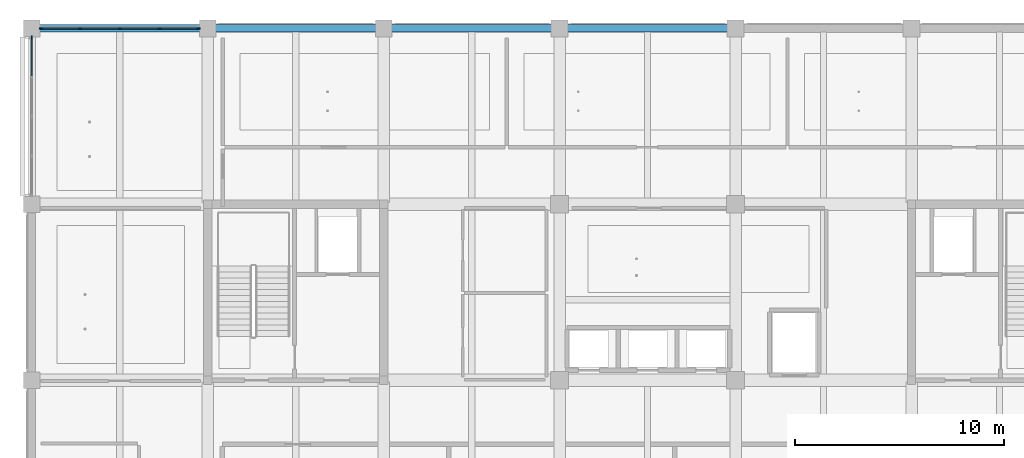
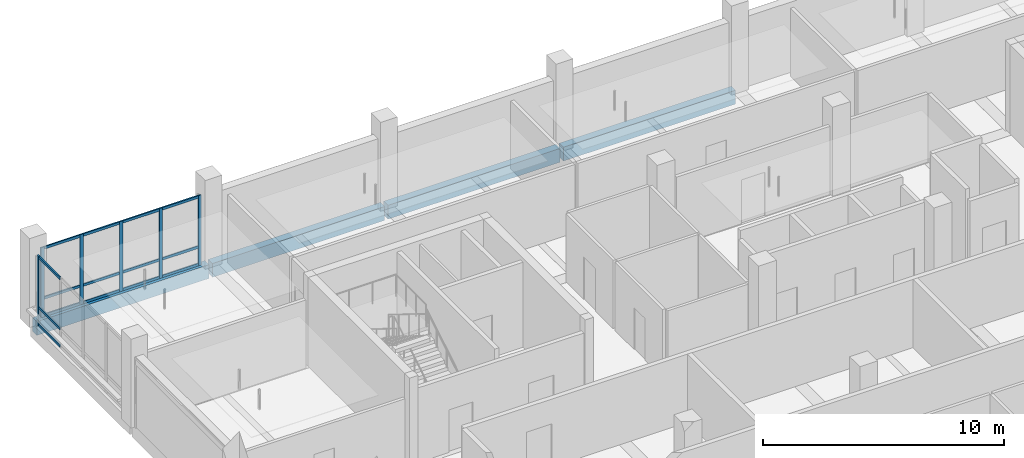
# One storey, part 8 of 35: 21 members, 4 beams, 2 elements without a shape of their own.
"""IFC4 building model written with IfcOpenShell, lengths in metres."""

from ifc_helpers import new_model, si_unit, direction, frame, origin, origin_2d, place, context, subcontext, project, spatial, rectangle, extrude, material, layer, layer_set, material_profile, profile_set, type_object, element, aggregate, save


model = new_model("IFC4")

# Units and contexts
model_context = context("Model", 3, precision=1e-05, world=origin(), true_north=direction((0.0, 1.0)))
body_context = subcontext(model_context, "Body", "Model", "MODEL_VIEW")
ifc_project = project(units=[si_unit("LENGTHUNIT", "METRE"), si_unit("AREAUNIT", "SQUARE_METRE"), si_unit("VOLUMEUNIT", "CUBIC_METRE"), si_unit("PLANEANGLEUNIT", "RADIAN"), si_unit("MASSUNIT", "GRAM", prefix="KILO")], contexts=[model_context])

# Site, building, storey
site_placement = place(None, origin())
site = spatial("IfcSite", under=ifc_project, at=site_placement, CompositionType="ELEMENT")
building_placement = place(site_placement, origin())
building = spatial("IfcBuilding", under=site, at=building_placement, Name="Telukmera Botanical Conservatory", CompositionType="ELEMENT")
storey_placement = place(building_placement, frame((0.0, 0.0, 28.5)))
storey = spatial("IfcBuildingStorey", under=building, at=storey_placement, Name="L06", CompositionType="ELEMENT", Elevation=28.5)

# Beams
ifc_material_1 = material(Name="Precast concrete C40/50", Category="concrete")
ifc_material_profile_1 = material_profile(ifc_material_1, rectangle(XDim=0.35009765625, YDim=0.699951171875, at=origin_2d()), Name="PC 350x700")
ifc_profile_set_1 = profile_set([ifc_material_profile_1], Name="Precast concrete C40/50")
beam_type = type_object("IfcBeamType", Name="Beam_SP2", PredefinedType="SPANDREL", material=ifc_profile_set_1)
beam_1_placement = place(storey_placement, frame((50.47998046875, 42.800048828125, -0.35009765625), z_axis=(1.0, 0.0, 0.0), x_axis=(0.0, 1.0, 0.0)))
element("IfcBeam", 1, at=beam_1_placement, inside=storey, type_object=beam_type, Name="Tower Grid Beam L06", PredefinedType="SPANDREL", context=body_context, shape_type="SweptSolid", body=[
    extrude(rectangle(XDim=0.35009765625, YDim=0.699951171875, at=origin_2d()), origin(), (0.0, 0.0, 1.0), 8.239990234375),
])
beam_2_placement = place(storey_placement, frame((58.8798828125, 42.800048828125, -0.35009765625), z_axis=(1.0, 0.0, 0.0), x_axis=(0.0, 1.0, 0.0)))
element("IfcBeam", 2, at=beam_2_placement, inside=storey, type_object=beam_type, Name="Tower Grid Beam L06", PredefinedType="SPANDREL", context=body_context, shape_type="SweptSolid", body=[
    extrude(rectangle(XDim=0.35009765625, YDim=0.699951171875, at=origin_2d()), origin(), (0.0, 0.0, 1.0), 8.240234375),
])
for number, where, z_axis, x_axis, name in (
    (3, (67.280029296875, 42.800048828125, -0.35009765625), (1.0, 0.0, 0.0), (0.0, 1.0, 0.0), "Tower Grid Beam L06"),
    (4, (75.679931640625, 42.800048828125, -0.35009765625), (1.0, 0.0, 0.0), (0.0, 1.0, 0.0), "Tower Grid Beam L06"),
):
    element("IfcBeam", number, at=place(storey_placement, frame(where, z_axis=z_axis, x_axis=x_axis)), inside=storey, type_object=beam_type, Name=name, PredefinedType="SPANDREL", context=body_context, shape_type="SweptSolid", body=[
        extrude(rectangle(XDim=0.35009765625, YDim=0.699951171875, at=origin_2d()), origin(), (0.0, 0.0, 1.0), 8.239990234375),
    ])

# Curtain wall, members
ifc_material_2 = material(Name="Anodised aluminium 6063-T6", Category="aluminium")
ifc_layer = layer(ifc_material_2, 0.179931640625)
ifc_layer_set = layer_set([ifc_layer], Name="Anodised aluminium 6063-T6")
curtain_wall_type = type_object("IfcCurtainWallType", Name="Tower Herbarium Curation Corner Curtain Wall", PredefinedType="USERDEFINED", material=ifc_layer_set)
curtain_wall_1_placement = place(storey_placement, origin())
curtain_wall_1 = element("IfcCurtainWall", 5, at=curtain_wall_1_placement, inside=storey, type_object=curtain_wall_type, Name="Unitised Curtain Wall CW14 V4:L06:N1", ObjectType="UNITISED CURTAIN WALL", PredefinedType="USERDEFINED")
ifc_material_profile_2 = material_profile(ifc_material_2, rectangle(XDim=0.06494140625, YDim=0.159912109375, at=origin_2d()), Name="ALU MULL 65x160")
ifc_profile_set_2 = profile_set([ifc_material_profile_2], Name="Anodised aluminium 6063-T6")
member_type_1 = type_object("IfcMemberType", Name="Curtain Wall Extruded Mullion 65x160", PredefinedType="MULLION", material=ifc_profile_set_2)
member_1_placement = place(storey_placement, frame((50.83447265625, 42.800048828125, 0.0), z_axis=(0.0, 0.0, 1.0), x_axis=(0.0, 1.0, 0.0)))
member_1 = element("IfcMember", 6, at=member_1_placement, type_object=member_type_1, Name="CW14 mullion 1", PredefinedType="MULLION", context=body_context, shape_type="SweptSolid", body=[
    extrude(rectangle(XDim=0.06494140625, YDim=0.159912109375, at=origin_2d()), origin(), (0.0, 0.0, 1.0), 3.550048828125),
])
member_2_placement = place(storey_placement, frame((52.700927734375, 42.800048828125, 0.0), z_axis=(0.0, 0.0, 1.0), x_axis=(0.0, 1.0, 0.0)))
member_2 = element("IfcMember", 7, at=member_2_placement, type_object=member_type_1, Name="CW14 mullion 2", PredefinedType="MULLION", context=body_context, shape_type="SweptSolid", body=[
    extrude(rectangle(XDim=0.06494140625, YDim=0.159912109375, at=origin_2d()), origin(), (0.0, 0.0, 1.0), 3.550048828125),
])
member_3_placement = place(storey_placement, frame((54.60009765625, 42.800048828125, 0.0), z_axis=(0.0, 0.0, 1.0), x_axis=(0.0, 1.0, 0.0)))
member_3 = element("IfcMember", 8, at=member_3_placement, type_object=member_type_1, Name="CW14 mullion 3", PredefinedType="MULLION", context=body_context, shape_type="SweptSolid", body=[
    extrude(rectangle(XDim=0.06494140625, YDim=0.159912109375, at=origin_2d()), origin(), (0.0, 0.0, 1.0), 3.550048828125),
])
member_4_placement = place(storey_placement, frame((56.4990234375, 42.800048828125, 0.0), z_axis=(0.0, 0.0, 1.0), x_axis=(0.0, 1.0, 0.0)))
member_4 = element("IfcMember", 9, at=member_4_placement, type_object=member_type_1, Name="CW14 mullion 4", PredefinedType="MULLION", context=body_context, shape_type="SweptSolid", body=[
    extrude(rectangle(XDim=0.06494140625, YDim=0.159912109375, at=origin_2d()), origin(), (0.0, 0.0, 1.0), 3.550048828125),
])
member_5_placement = place(storey_placement, frame((58.365478515625, 42.800048828125, 0.0), z_axis=(0.0, 0.0, 1.0), x_axis=(0.0, 1.0, 0.0)))
member_5 = element("IfcMember", 10, at=member_5_placement, type_object=member_type_1, Name="CW14 mullion 5", PredefinedType="MULLION", context=body_context, shape_type="SweptSolid", body=[
    extrude(rectangle(XDim=0.06494140625, YDim=0.159912109375, at=origin_2d()), origin(), (0.0, 0.0, 1.0), 3.550048828125),
])

# Curtain wall, member
curtain_wall_2_placement = place(storey_placement, origin())
curtain_wall_2 = element("IfcCurtainWall", 11, at=curtain_wall_2_placement, inside=storey, type_object=curtain_wall_type, Name="Unitised Curtain Wall CW14 V4:L06:W4", ObjectType="UNITISED CURTAIN WALL", PredefinedType="USERDEFINED")
member_6_placement = place(storey_placement, frame((50.39990234375, 42.365478515625, 0.0), z_axis=(0.0, 0.0, 1.0), x_axis=(-1.0, 0.0, 0.0)))
member_6 = element("IfcMember", 12, at=member_6_placement, type_object=member_type_1, Name="CW14 mullion 5", PredefinedType="MULLION", context=body_context, shape_type="SweptSolid", body=[
    extrude(rectangle(XDim=0.06494140625, YDim=0.159912109375, at=origin_2d()), origin(), (0.0, 0.0, 1.0), 3.550048828125),
])

# Member
ifc_material_profile_3 = material_profile(ifc_material_2, rectangle(XDim=0.06494140625, YDim=0.1298828125, at=origin_2d()), Name="ALU TRAN 65x130")
ifc_profile_set_3 = profile_set([ifc_material_profile_3], Name="Anodised aluminium 6063-T6")
member_type_2 = type_object("IfcMemberType", Name="Curtain Wall Extruded Transom 65x130", PredefinedType="USERDEFINED", material=ifc_profile_set_3)
member_7_placement = place(storey_placement, frame((50.866943359375, 42.800048828125, 0.06494140625), z_axis=(1.0, 0.0, 0.0), x_axis=(0.0, 1.0, 0.0)))
member_7 = element("IfcMember", 13, at=member_7_placement, type_object=member_type_2, Name="CW14 transom 1.1", ObjectType="TRANSOM", PredefinedType="USERDEFINED", context=body_context, shape_type="SweptSolid", body=[
    extrude(rectangle(XDim=0.06494140625, YDim=0.1298828125, at=origin_2d()), origin(), (0.0, 0.0, 1.0), 1.801513671875),
])

member_8_placement = place(storey_placement, frame((50.866943359375, 42.800048828125, 0.949951171875), z_axis=(1.0, 0.0, 0.0), x_axis=(0.0, 1.0, 0.0)))
member_8 = element("IfcMember", 14, at=member_8_placement, type_object=member_type_2, Name="CW14 transom 1.2", ObjectType="TRANSOM", PredefinedType="USERDEFINED", context=body_context, shape_type="SweptSolid", body=[
    extrude(rectangle(XDim=0.06494140625, YDim=0.1298828125, at=origin_2d()), origin(), (0.0, 0.0, 1.0), 1.801513671875),
])

member_9_placement = place(storey_placement, frame((50.866943359375, 42.800048828125, 3.485107421875), z_axis=(1.0, 0.0, 0.0), x_axis=(0.0, 1.0, 0.0)))
member_9 = element("IfcMember", 15, at=member_9_placement, type_object=member_type_2, Name="CW14 transom 1.3", ObjectType="TRANSOM", PredefinedType="USERDEFINED", context=body_context, shape_type="SweptSolid", body=[
    extrude(rectangle(XDim=0.06494140625, YDim=0.1298828125, at=origin_2d()), origin(), (0.0, 0.0, 1.0), 1.801513671875),
])

member_10_placement = place(storey_placement, frame((52.7333984375, 42.800048828125, 0.06494140625), z_axis=(1.0, 0.0, 0.0), x_axis=(0.0, 1.0, 0.0)))
member_10 = element("IfcMember", 16, at=member_10_placement, type_object=member_type_2, Name="CW14 transom 2.1", ObjectType="TRANSOM", PredefinedType="USERDEFINED", context=body_context, shape_type="SweptSolid", body=[
    extrude(rectangle(XDim=0.06494140625, YDim=0.1298828125, at=origin_2d()), origin(), (0.0, 0.0, 1.0), 1.833984375),
])

member_11_placement = place(storey_placement, frame((52.7333984375, 42.800048828125, 0.949951171875), z_axis=(1.0, 0.0, 0.0), x_axis=(0.0, 1.0, 0.0)))
member_11 = element("IfcMember", 17, at=member_11_placement, type_object=member_type_2, Name="CW14 transom 2.2", ObjectType="TRANSOM", PredefinedType="USERDEFINED", context=body_context, shape_type="SweptSolid", body=[
    extrude(rectangle(XDim=0.06494140625, YDim=0.1298828125, at=origin_2d()), origin(), (0.0, 0.0, 1.0), 1.833984375),
])

member_12_placement = place(storey_placement, frame((52.7333984375, 42.800048828125, 3.485107421875), z_axis=(1.0, 0.0, 0.0), x_axis=(0.0, 1.0, 0.0)))
member_12 = element("IfcMember", 18, at=member_12_placement, type_object=member_type_2, Name="CW14 transom 2.3", ObjectType="TRANSOM", PredefinedType="USERDEFINED", context=body_context, shape_type="SweptSolid", body=[
    extrude(rectangle(XDim=0.06494140625, YDim=0.1298828125, at=origin_2d()), origin(), (0.0, 0.0, 1.0), 1.833984375),
])

member_13_placement = place(storey_placement, frame((54.632568359375, 42.800048828125, 0.06494140625), z_axis=(1.0, 0.0, 0.0), x_axis=(0.0, 1.0, 0.0)))
member_13 = element("IfcMember", 19, at=member_13_placement, type_object=member_type_2, Name="CW14 transom 3.1", ObjectType="TRANSOM", PredefinedType="USERDEFINED", context=body_context, shape_type="SweptSolid", body=[
    extrude(rectangle(XDim=0.06494140625, YDim=0.1298828125, at=origin_2d()), origin(), (0.0, 0.0, 1.0), 1.833984375),
])

member_14_placement = place(storey_placement, frame((54.632568359375, 42.800048828125, 0.949951171875), z_axis=(1.0, 0.0, 0.0), x_axis=(0.0, 1.0, 0.0)))
member_14 = element("IfcMember", 20, at=member_14_placement, type_object=member_type_2, Name="CW14 transom 3.2", ObjectType="TRANSOM", PredefinedType="USERDEFINED", context=body_context, shape_type="SweptSolid", body=[
    extrude(rectangle(XDim=0.06494140625, YDim=0.1298828125, at=origin_2d()), origin(), (0.0, 0.0, 1.0), 1.833984375),
])

member_15_placement = place(storey_placement, frame((54.632568359375, 42.800048828125, 3.485107421875), z_axis=(1.0, 0.0, 0.0), x_axis=(0.0, 1.0, 0.0)))
member_15 = element("IfcMember", 21, at=member_15_placement, type_object=member_type_2, Name="CW14 transom 3.3", ObjectType="TRANSOM", PredefinedType="USERDEFINED", context=body_context, shape_type="SweptSolid", body=[
    extrude(rectangle(XDim=0.06494140625, YDim=0.1298828125, at=origin_2d()), origin(), (0.0, 0.0, 1.0), 1.833984375),
])

member_16_placement = place(storey_placement, frame((56.531494140625, 42.800048828125, 0.06494140625), z_axis=(1.0, 0.0, 0.0), x_axis=(0.0, 1.0, 0.0)))
member_16 = element("IfcMember", 22, at=member_16_placement, type_object=member_type_2, Name="CW14 transom 4.1", ObjectType="TRANSOM", PredefinedType="USERDEFINED", context=body_context, shape_type="SweptSolid", body=[
    extrude(rectangle(XDim=0.06494140625, YDim=0.1298828125, at=origin_2d()), origin(), (0.0, 0.0, 1.0), 1.801513671875),
])

member_17_placement = place(storey_placement, frame((56.531494140625, 42.800048828125, 0.949951171875), z_axis=(1.0, 0.0, 0.0), x_axis=(0.0, 1.0, 0.0)))
member_17 = element("IfcMember", 23, at=member_17_placement, type_object=member_type_2, Name="CW14 transom 4.2", ObjectType="TRANSOM", PredefinedType="USERDEFINED", context=body_context, shape_type="SweptSolid", body=[
    extrude(rectangle(XDim=0.06494140625, YDim=0.1298828125, at=origin_2d()), origin(), (0.0, 0.0, 1.0), 1.801513671875),
])

member_18_placement = place(storey_placement, frame((56.531494140625, 42.800048828125, 3.485107421875), z_axis=(1.0, 0.0, 0.0), x_axis=(0.0, 1.0, 0.0)))
member_18 = element("IfcMember", 24, at=member_18_placement, type_object=member_type_2, Name="CW14 transom 4.3", ObjectType="TRANSOM", PredefinedType="USERDEFINED", context=body_context, shape_type="SweptSolid", body=[
    extrude(rectangle(XDim=0.06494140625, YDim=0.1298828125, at=origin_2d()), origin(), (0.0, 0.0, 1.0), 1.801513671875),
])

aggregate(curtain_wall_1, [member_1, member_2, member_3, member_4, member_5, member_7, member_8, member_9, member_10, member_11, member_12, member_13, member_14, member_15, member_16, member_17, member_18])

member_19_placement = place(storey_placement, frame((50.39990234375, 40.531494140625, 0.06494140625), z_axis=(0.0, 1.0, 0.0), x_axis=(-1.0, 0.0, 0.0)))
member_19 = element("IfcMember", 25, at=member_19_placement, type_object=member_type_2, Name="CW14 transom 4.1", ObjectType="TRANSOM", PredefinedType="USERDEFINED", context=body_context, shape_type="SweptSolid", body=[
    extrude(rectangle(XDim=0.06494140625, YDim=0.1298828125, at=origin_2d()), origin(), (0.0, 0.0, 1.0), 1.801513671875),
])

member_20_placement = place(storey_placement, frame((50.39990234375, 40.531494140625, 0.949951171875), z_axis=(0.0, 1.0, 0.0), x_axis=(-1.0, 0.0, 0.0)))
member_20 = element("IfcMember", 26, at=member_20_placement, type_object=member_type_2, Name="CW14 transom 4.2", ObjectType="TRANSOM", PredefinedType="USERDEFINED", context=body_context, shape_type="SweptSolid", body=[
    extrude(rectangle(XDim=0.06494140625, YDim=0.1298828125, at=origin_2d()), origin(), (0.0, 0.0, 1.0), 1.801513671875),
])

member_21_placement = place(storey_placement, frame((50.39990234375, 40.531494140625, 3.485107421875), z_axis=(0.0, 1.0, 0.0), x_axis=(-1.0, 0.0, 0.0)))
member_21 = element("IfcMember", 27, at=member_21_placement, type_object=member_type_2, Name="CW14 transom 4.3", ObjectType="TRANSOM", PredefinedType="USERDEFINED", context=body_context, shape_type="SweptSolid", body=[
    extrude(rectangle(XDim=0.06494140625, YDim=0.1298828125, at=origin_2d()), origin(), (0.0, 0.0, 1.0), 1.801513671875),
])

aggregate(curtain_wall_2, [member_6, member_19, member_20, member_21])

save(model, "model.ifc")
